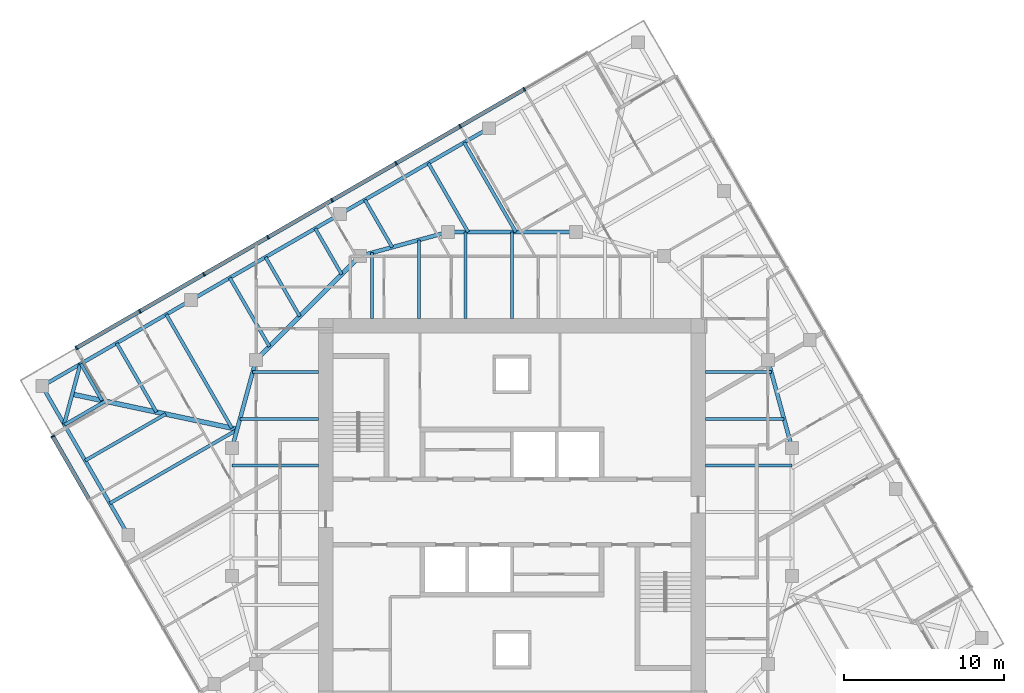
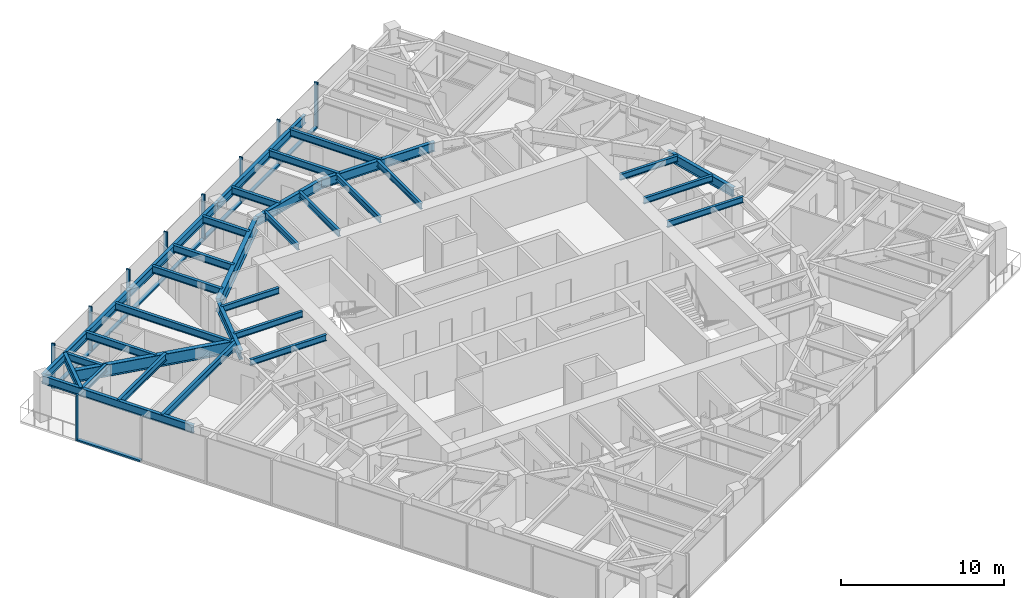
# One storey, part 4 of 12: 33 beams, 17 members, 2 elements without a shape of their own.
"""IFC4 building model written with IfcOpenShell, lengths in metres."""

from ifc_helpers import new_model, si_unit, direction, frame, origin, origin_2d, place, context, subcontext, project, spatial, rectangle, i_section, extrude, material, material_profile, profile_set, type_object, element, aggregate, save


model = new_model("IFC4")

# Units and contexts
model_context = context("Model", 3, precision=1e-05, world=origin(), true_north=direction((0.0, 1.0)))
body_context = subcontext(model_context, "Body", "Model", "MODEL_VIEW")
ifc_project = project(units=[si_unit("LENGTHUNIT", "METRE"), si_unit("AREAUNIT", "SQUARE_METRE"), si_unit("VOLUMEUNIT", "CUBIC_METRE"), si_unit("PLANEANGLEUNIT", "RADIAN"), si_unit("MASSUNIT", "GRAM", prefix="KILO")], contexts=[model_context])

# Site, building, storey
site_placement = place(None, origin())
site = spatial("IfcSite", under=ifc_project, at=site_placement, CompositionType="ELEMENT")
building_placement = place(site_placement, origin())
building = spatial("IfcBuilding", under=site, at=building_placement, Name="Torsade Residences", CompositionType="ELEMENT")
storey_placement = place(building_placement, frame((0.0, 0.0, 218.39990234375)))
storey = spatial("IfcBuildingStorey", under=building, at=storey_placement, Name="L60", CompositionType="ELEMENT", Elevation=218.39990234375)

# Beams
ifc_material_1 = material(Name="Steel grade 300", Category="steel")
ifc_material_profile_1 = material_profile(ifc_material_1, i_section(OverallWidth=0.300048828125, OverallDepth=0.89990234375, WebThickness=0.011962890625, FlangeThickness=0.02490234375, at=origin_2d()), Name="900WB175")
ifc_profile_set_1 = profile_set([ifc_material_profile_1], Name="Steel grade 300")
beam_type_1 = type_object("IfcBeamType", Name="CORNER GIRDER 900WB175", PredefinedType="BEAM", material=ifc_profile_set_1)
beam_1_placement = place(storey_placement, frame((12.5087890625, 37.3662109375, 2.800048828125), z_axis=(0.978115155685, -0.20806427425, 0.0), x_axis=(0.20806427425, 0.978115155685, 0.0)))
element("IfcBeam", 1, at=beam_1_placement, inside=storey, type_object=beam_type_1, Name="Corner girder 13 L61", PredefinedType="BEAM", context=body_context, shape_type="SweptSolid", body=[
    extrude(i_section(OverallWidth=0.300048828125, OverallDepth=0.89990234375, WebThickness=0.011962890625, FlangeThickness=0.02490234375, at=origin_2d()), origin(), (0.0, 0.0, 1.0), 10.541748046875),
])
ifc_material_2 = material(Name="Steel grade 300", Category="steel")
ifc_material_profile_2 = material_profile(ifc_material_2, i_section(OverallWidth=0.22802734375, OverallDepth=0.60205078125, WebThickness=0.010498046875, FlangeThickness=0.014892578125, FilletRadius=0.013916015625, at=origin_2d()), Name="610UB101")
ifc_profile_set_2 = profile_set([ifc_material_profile_2], Name="Steel grade 300")
beam_type_2 = type_object("IfcBeamType", Name="CORNER TRIMMER 610UB101", PredefinedType="BEAM", material=ifc_profile_set_2)
beam_2_placement = place(storey_placement, frame((12.00537109375, 35.488037109375, 2.94921875), z_axis=(0.258822897619, 0.965924794002, 0.0), x_axis=(-0.965924794002, 0.258822897619, 0.0)))
element("IfcBeam", 2, at=beam_2_placement, inside=storey, type_object=beam_type_2, Name="Corner trimmer 13 L61", PredefinedType="BEAM", context=body_context, shape_type="SweptSolid", body=[
    extrude(i_section(OverallWidth=0.22802734375, OverallDepth=0.60205078125, WebThickness=0.010498046875, FlangeThickness=0.014892578125, FilletRadius=0.013916015625, at=origin_2d()), origin(), (0.0, 0.0, 1.0), 3.88916015625),
])
ifc_material_3 = material(Name="Steel grade 300", Category="steel")
ifc_material_profile_3 = material_profile(ifc_material_3, i_section(OverallWidth=0.22900390625, OverallDepth=0.612060546875, WebThickness=0.011962890625, FlangeThickness=0.01953125, FilletRadius=0.013916015625, at=origin_2d()), Name="610UB125")
ifc_profile_set_3 = profile_set([ifc_material_profile_3], Name="Steel grade 300")
beam_type_3 = type_object("IfcBeamType", Name="EDGE BEAM 610UB125", PredefinedType="SPANDREL", material=ifc_profile_set_3)
for number, where, z_axis, x_axis, name in (
    (3, (38.559814453125, 53.99462890625, 2.944091796875), (-0.866026365697, -0.499998333915, 0.0), (0.499998333915, -0.866026365697, 0.0), "Edge beam 10 L61"),
    (4, (29.25, 48.61962890625, 2.944091796875), (-0.866026365697, -0.499998333915, 0.0), (0.499998333915, -0.866026365697, 0.0), "Edge beam 11 L61"),
    (5, (19.940185546875, 43.24462890625, 2.944091796875), (-0.866026365697, -0.499998333915, 0.0), (0.499998333915, -0.866026365697, 0.0), "Edge beam 12 L61"),
    (6, (10.63037109375, 37.86962890625, 2.944091796875), (0.499998333915, -0.866026365697, 0.0), (0.866026365697, 0.499998333915, 0.0), "Edge beam 13 L61"),
):
    element("IfcBeam", number, at=place(storey_placement, frame(where, z_axis=z_axis, x_axis=x_axis)), inside=storey, type_object=beam_type_3, Name=name, PredefinedType="SPANDREL", context=body_context, shape_type="SweptSolid", body=[
        extrude(i_section(OverallWidth=0.22900390625, OverallDepth=0.612060546875, WebThickness=0.011962890625, FlangeThickness=0.01953125, FilletRadius=0.013916015625, at=origin_2d()), origin(), (0.0, 0.0, 1.0), 10.75),
    ])

# Curtain wall, members
ifc_material_4 = material(Name="Aluminium and glass", Category="aluminium")
curtain_wall_type = type_object("IfcCurtainWallType", Name="FRITTED GLASS CURTAIN WALL HIGH ZONE", PredefinedType="NOTDEFINED", material=ifc_material_4)
curtain_wall_1_placement = place(storey_placement, origin())
curtain_wall_1 = element("IfcCurtainWall", 7, at=curtain_wall_1_placement, inside=storey, type_object=curtain_wall_type, Name="Curtain wall L60 face 7", PredefinedType="NOTDEFINED")
ifc_material_5 = material(Name="Aluminium mullion", Category="aluminium")
ifc_material_profile_4 = material_profile(ifc_material_5, rectangle(XDim=0.25, YDim=0.10009765625, at=origin_2d()), Name="HIGH ZONE CURTAIN WALL MULLION 250x100")
ifc_profile_set_4 = profile_set([ifc_material_profile_4], Name="Aluminium mullion")
member_type_1 = type_object("IfcMemberType", Name="HIGH ZONE CURTAIN WALL MULLION 250x100", PredefinedType="MULLION", material=ifc_profile_set_4)
member_1_placement = place(storey_placement, frame((40.76611328125, 56.423095703125, 0.0), z_axis=(0.0, 0.0, 1.0), x_axis=(0.499999999305, -0.866025404186, 0.0)))
member_1 = element("IfcMember", 8, at=member_1_placement, type_object=member_type_1, Name="Mullion 2", PredefinedType="MULLION", context=body_context, shape_type="SweptSolid", body=[
    extrude(rectangle(XDim=0.25, YDim=0.10009765625, at=origin_2d()), origin(), (0.0, 0.0, 1.0), 3.400146484375),
])
member_2_placement = place(storey_placement, frame((36.7607421875, 54.110595703125, 0.0), z_axis=(0.0, 0.0, 1.0), x_axis=(0.499999999305, -0.866025404186, 0.0)))
member_2 = element("IfcMember", 9, at=member_2_placement, type_object=member_type_1, Name="Mullion 3", PredefinedType="MULLION", context=body_context, shape_type="SweptSolid", body=[
    extrude(rectangle(XDim=0.25, YDim=0.10009765625, at=origin_2d()), origin(), (0.0, 0.0, 1.0), 3.400146484375),
])
member_3_placement = place(storey_placement, frame((32.75537109375, 51.798095703125, 0.0), z_axis=(0.0, 0.0, 1.0), x_axis=(0.499999999305, -0.866025404186, 0.0)))
member_3 = element("IfcMember", 10, at=member_3_placement, type_object=member_type_1, Name="Mullion 4", PredefinedType="MULLION", context=body_context, shape_type="SweptSolid", body=[
    extrude(rectangle(XDim=0.25, YDim=0.10009765625, at=origin_2d()), origin(), (0.0, 0.0, 1.0), 3.400146484375),
])
member_4_placement = place(storey_placement, frame((28.75, 49.485595703125, 0.0), z_axis=(0.0, 0.0, 1.0), x_axis=(0.499999999305, -0.866025404186, 0.0)))
member_4 = element("IfcMember", 11, at=member_4_placement, type_object=member_type_1, Name="Mullion 5", PredefinedType="MULLION", context=body_context, shape_type="SweptSolid", body=[
    extrude(rectangle(XDim=0.25, YDim=0.10009765625, at=origin_2d()), origin(), (0.0, 0.0, 1.0), 3.400146484375),
])
member_5_placement = place(storey_placement, frame((24.74462890625, 47.173095703125, 0.0), z_axis=(0.0, 0.0, 1.0), x_axis=(0.499999999305, -0.866025404186, 0.0)))
member_5 = element("IfcMember", 12, at=member_5_placement, type_object=member_type_1, Name="Mullion 6", PredefinedType="MULLION", context=body_context, shape_type="SweptSolid", body=[
    extrude(rectangle(XDim=0.25, YDim=0.10009765625, at=origin_2d()), origin(), (0.0, 0.0, 1.0), 3.400146484375),
])
member_6_placement = place(storey_placement, frame((20.7392578125, 44.860595703125, 0.0), z_axis=(0.0, 0.0, 1.0), x_axis=(0.499999999305, -0.866025404186, 0.0)))
member_6 = element("IfcMember", 13, at=member_6_placement, type_object=member_type_1, Name="Mullion 7", PredefinedType="MULLION", context=body_context, shape_type="SweptSolid", body=[
    extrude(rectangle(XDim=0.25, YDim=0.10009765625, at=origin_2d()), origin(), (0.0, 0.0, 1.0), 3.400146484375),
])
member_7_placement = place(storey_placement, frame((16.73388671875, 42.548095703125, 0.0), z_axis=(0.0, 0.0, 1.0), x_axis=(0.499999999305, -0.866025404186, 0.0)))
member_7 = element("IfcMember", 14, at=member_7_placement, type_object=member_type_1, Name="Mullion 8", PredefinedType="MULLION", context=body_context, shape_type="SweptSolid", body=[
    extrude(rectangle(XDim=0.25, YDim=0.10009765625, at=origin_2d()), origin(), (0.0, 0.0, 1.0), 3.400146484375),
])
member_8_placement = place(storey_placement, frame((12.771728515625, 40.260498046875, 0.0), z_axis=(0.0, 0.0, 1.0), x_axis=(0.499999999305, -0.866025404186, 0.0)))
member_8 = element("IfcMember", 15, at=member_8_placement, type_object=member_type_1, Name="Mullion 9", PredefinedType="MULLION", context=body_context, shape_type="SweptSolid", body=[
    extrude(rectangle(XDim=0.25, YDim=0.10009765625, at=origin_2d()), origin(), (0.0, 0.0, 1.0), 3.400146484375),
])

# Curtain wall, member
curtain_wall_2_placement = place(storey_placement, origin())
curtain_wall_2 = element("IfcCurtainWall", 16, at=curtain_wall_2_placement, inside=storey, type_object=curtain_wall_type, Name="Curtain wall L60 face 10", PredefinedType="NOTDEFINED")
member_9_placement = place(storey_placement, frame((11.289306640625, 34.728271484375, 0.0), z_axis=(0.0, 0.0, 1.0), x_axis=(0.866025404186, 0.499999999305, 0.0)))
member_9 = element("IfcMember", 17, at=member_9_placement, type_object=member_type_1, Name="Mullion 1", PredefinedType="MULLION", context=body_context, shape_type="SweptSolid", body=[
    extrude(rectangle(XDim=0.25, YDim=0.10009765625, at=origin_2d()), origin(), (0.0, 0.0, 1.0), 3.400146484375),
])

# Member
ifc_material_6 = material(Name="Aluminium transom", Category="aluminium")
ifc_material_profile_5 = material_profile(ifc_material_6, rectangle(XDim=0.25, YDim=0.1201171875, at=origin_2d()), Name="HIGH ZONE CURTAIN WALL TRANSOM 250x120")
ifc_profile_set_5 = profile_set([ifc_material_profile_5], Name="Aluminium transom")
member_type_2 = type_object("IfcMemberType", Name="HIGH ZONE CURTAIN WALL TRANSOM 250x120", PredefinedType="USERDEFINED", material=ifc_profile_set_5)
member_10_placement = place(storey_placement, frame((40.722900390625, 56.398193359375, 0.06005859375), z_axis=(-0.866016678684, -0.500015112013, 0.0), x_axis=(0.500015112013, -0.866016678684, 0.0)))
member_10 = element("IfcMember", 18, at=member_10_placement, type_object=member_type_2, Name="Transom 2.1", ObjectType="TRANSOM", PredefinedType="USERDEFINED", context=body_context, shape_type="SweptSolid", body=[
    extrude(rectangle(XDim=0.25, YDim=0.1201171875, at=origin_2d()), origin(), (0.0, 0.0, 1.0), 4.525146484375),
])

member_11_placement = place(storey_placement, frame((36.717529296875, 54.085693359375, 0.06005859375), z_axis=(-0.866016678684, -0.500015112013, 0.0), x_axis=(0.500015112013, -0.866016678684, 0.0)))
member_11 = element("IfcMember", 19, at=member_11_placement, type_object=member_type_2, Name="Transom 3.1", ObjectType="TRANSOM", PredefinedType="USERDEFINED", context=body_context, shape_type="SweptSolid", body=[
    extrude(rectangle(XDim=0.25, YDim=0.1201171875, at=origin_2d()), origin(), (0.0, 0.0, 1.0), 4.525146484375),
])

member_12_placement = place(storey_placement, frame((32.712158203125, 51.773193359375, 0.06005859375), z_axis=(-0.866016678684, -0.500015112013, 0.0), x_axis=(0.500015112013, -0.866016678684, 0.0)))
member_12 = element("IfcMember", 20, at=member_12_placement, type_object=member_type_2, Name="Transom 4.1", ObjectType="TRANSOM", PredefinedType="USERDEFINED", context=body_context, shape_type="SweptSolid", body=[
    extrude(rectangle(XDim=0.25, YDim=0.1201171875, at=origin_2d()), origin(), (0.0, 0.0, 1.0), 4.525146484375),
])

member_13_placement = place(storey_placement, frame((28.706787109375, 49.460693359375, 0.06005859375), z_axis=(-0.866016678684, -0.500015112013, 0.0), x_axis=(0.500015112013, -0.866016678684, 0.0)))
member_13 = element("IfcMember", 21, at=member_13_placement, type_object=member_type_2, Name="Transom 5.1", ObjectType="TRANSOM", PredefinedType="USERDEFINED", context=body_context, shape_type="SweptSolid", body=[
    extrude(rectangle(XDim=0.25, YDim=0.1201171875, at=origin_2d()), origin(), (0.0, 0.0, 1.0), 4.525146484375),
])

member_14_placement = place(storey_placement, frame((24.701416015625, 47.148193359375, 0.06005859375), z_axis=(-0.866016678684, -0.500015112013, 0.0), x_axis=(0.500015112013, -0.866016678684, 0.0)))
member_14 = element("IfcMember", 22, at=member_14_placement, type_object=member_type_2, Name="Transom 6.1", ObjectType="TRANSOM", PredefinedType="USERDEFINED", context=body_context, shape_type="SweptSolid", body=[
    extrude(rectangle(XDim=0.25, YDim=0.1201171875, at=origin_2d()), origin(), (0.0, 0.0, 1.0), 4.525146484375),
])

member_15_placement = place(storey_placement, frame((20.696044921875, 44.835693359375, 0.06005859375), z_axis=(-0.866016678684, -0.500015112013, 0.0), x_axis=(0.500015112013, -0.866016678684, 0.0)))
member_15 = element("IfcMember", 23, at=member_15_placement, type_object=member_type_2, Name="Transom 7.1", ObjectType="TRANSOM", PredefinedType="USERDEFINED", context=body_context, shape_type="SweptSolid", body=[
    extrude(rectangle(XDim=0.25, YDim=0.1201171875, at=origin_2d()), origin(), (0.0, 0.0, 1.0), 4.525146484375),
])

member_16_placement = place(storey_placement, frame((16.690673828125, 42.523193359375, 0.06005859375), z_axis=(-0.866022053326, -0.50000580312, 0.0), x_axis=(0.50000580312, -0.866022053326, 0.0)))
member_16 = element("IfcMember", 24, at=member_16_placement, type_object=member_type_2, Name="Transom 8.1", ObjectType="TRANSOM", PredefinedType="USERDEFINED", context=body_context, shape_type="SweptSolid", body=[
    extrude(rectangle(XDim=0.25, YDim=0.1201171875, at=origin_2d()), origin(), (0.0, 0.0, 1.0), 4.47509765625),
])

aggregate(curtain_wall_1, [member_1, member_2, member_3, member_4, member_5, member_6, member_7, member_8, member_10, member_11, member_12, member_13, member_14, member_15, member_16])

member_17_placement = place(storey_placement, frame((11.314453125, 34.684814453125, 0.06005859375), z_axis=(0.50000580312, -0.866022053326, 0.0), x_axis=(0.866022053326, 0.50000580312, 0.0)))
member_17 = element("IfcMember", 25, at=member_17_placement, type_object=member_type_2, Name="Transom 1.1", ObjectType="TRANSOM", PredefinedType="USERDEFINED", context=body_context, shape_type="SweptSolid", body=[
    extrude(rectangle(XDim=0.25, YDim=0.1201171875, at=origin_2d()), origin(), (0.0, 0.0, 1.0), 4.47509765625),
])

aggregate(curtain_wall_2, [member_9, member_17])

# Beams
ifc_material_7 = material(Name="Steel grade 300", Category="steel")
ifc_material_profile_6 = material_profile(ifc_material_7, i_section(OverallWidth=0.18994140625, OverallDepth=0.4541015625, WebThickness=0.008544921875, FlangeThickness=0.0126953125, FilletRadius=0.011474609375, at=origin_2d()), Name="460UB67.1")
ifc_profile_set_6 = profile_set([ifc_material_profile_6], Name="Steel grade 300")
beam_type_4 = type_object("IfcBeamType", Name="INNER FLOOR BEAM 460UB67.1", PredefinedType="JOIST", material=ifc_profile_set_6)
beam_3_placement = place(storey_placement, frame((31.262451171875, 42.10009765625, 3.023193359375), z_axis=(0.0, 1.0, 0.0), x_axis=(-1.0, 0.0, 0.0)))
element("IfcBeam", 26, at=beam_3_placement, inside=storey, type_object=beam_type_4, Name="Inner floor beam IN01 L61", PredefinedType="JOIST", context=body_context, shape_type="SweptSolid", body=[
    extrude(i_section(OverallWidth=0.18994140625, OverallDepth=0.4541015625, WebThickness=0.008544921875, FlangeThickness=0.0126953125, FilletRadius=0.011474609375, at=origin_2d()), origin(), (0.0, 0.0, 1.0), 4.10791015625),
])
beam_4_placement = place(storey_placement, frame((34.175048828125, 42.10009765625, 3.023193359375), z_axis=(0.0, 1.0, 0.0), x_axis=(-1.0, 0.0, 0.0)))
element("IfcBeam", 27, at=beam_4_placement, inside=storey, type_object=beam_type_4, Name="Inner floor beam IN02 L61", PredefinedType="JOIST", context=body_context, shape_type="SweptSolid", body=[
    extrude(i_section(OverallWidth=0.18994140625, OverallDepth=0.4541015625, WebThickness=0.008544921875, FlangeThickness=0.0126953125, FilletRadius=0.011474609375, at=origin_2d()), origin(), (0.0, 0.0, 1.0), 4.902099609375),
])
for number, where, z_axis, x_axis, name in (
    (28, (37.08740234375, 42.10009765625, 3.023193359375), (0.0, 1.0, 0.0), (-1.0, 0.0, 0.0), "Inner floor beam IN03 L61"),
    (29, (40.0, 42.10009765625, 3.023193359375), (0.0, 1.0, 0.0), (-1.0, 0.0, 0.0), "Inner floor beam IN04 L61"),
    (30, (52.10009765625, 32.91259765625, 3.023193359375), (1.0, 0.0, 0.0), (0.0, 1.0, 0.0), "Inner floor beam IE05 L61"),
):
    element("IfcBeam", number, at=place(storey_placement, frame(where, z_axis=z_axis, x_axis=x_axis)), inside=storey, type_object=beam_type_4, Name=name, PredefinedType="JOIST", context=body_context, shape_type="SweptSolid", body=[
        extrude(i_section(OverallWidth=0.18994140625, OverallDepth=0.4541015625, WebThickness=0.008544921875, FlangeThickness=0.0126953125, FilletRadius=0.011474609375, at=origin_2d()), origin(), (0.0, 0.0, 1.0), 5.39990234375),
    ])
beam_5_placement = place(storey_placement, frame((52.10009765625, 35.824951171875, 3.023193359375), z_axis=(1.0, 0.0, 0.0), x_axis=(0.0, 1.0, 0.0)))
element("IfcBeam", 31, at=beam_5_placement, inside=storey, type_object=beam_type_4, Name="Inner floor beam IE06 L61", PredefinedType="JOIST", context=body_context, shape_type="SweptSolid", body=[
    extrude(i_section(OverallWidth=0.18994140625, OverallDepth=0.4541015625, WebThickness=0.008544921875, FlangeThickness=0.0126953125, FilletRadius=0.011474609375, at=origin_2d()), origin(), (0.0, 0.0, 1.0), 4.902099609375),
])
for number, where, z_axis, x_axis, name in (
    (32, (52.10009765625, 38.737548828125, 3.023193359375), (1.0, 0.0, 0.0), (0.0, 1.0, 0.0), "Inner floor beam IE07 L61"),
    (33, (27.89990234375, 38.737548828125, 3.023193359375), (-1.0, 0.0, 0.0), (0.0, -1.0, 0.0), "Inner floor beam IW01 L61"),
):
    element("IfcBeam", number, at=place(storey_placement, frame(where, z_axis=z_axis, x_axis=x_axis)), inside=storey, type_object=beam_type_4, Name=name, PredefinedType="JOIST", context=body_context, shape_type="SweptSolid", body=[
        extrude(i_section(OverallWidth=0.18994140625, OverallDepth=0.4541015625, WebThickness=0.008544921875, FlangeThickness=0.0126953125, FilletRadius=0.011474609375, at=origin_2d()), origin(), (0.0, 0.0, 1.0), 4.10791015625),
    ])
beam_6_placement = place(storey_placement, frame((27.89990234375, 35.824951171875, 3.023193359375), z_axis=(-1.0, 0.0, 0.0), x_axis=(0.0, -1.0, 0.0)))
element("IfcBeam", 34, at=beam_6_placement, inside=storey, type_object=beam_type_4, Name="Inner floor beam IW02 L61", PredefinedType="JOIST", context=body_context, shape_type="SweptSolid", body=[
    extrude(i_section(OverallWidth=0.18994140625, OverallDepth=0.4541015625, WebThickness=0.008544921875, FlangeThickness=0.0126953125, FilletRadius=0.011474609375, at=origin_2d()), origin(), (0.0, 0.0, 1.0), 4.902099609375),
])
beam_7_placement = place(storey_placement, frame((27.89990234375, 32.91259765625, 3.023193359375), z_axis=(-1.0, 0.0, 0.0), x_axis=(0.0, -1.0, 0.0)))
element("IfcBeam", 35, at=beam_7_placement, inside=storey, type_object=beam_type_4, Name="Inner floor beam IW03 L61", PredefinedType="JOIST", context=body_context, shape_type="SweptSolid", body=[
    extrude(i_section(OverallWidth=0.18994140625, OverallDepth=0.4541015625, WebThickness=0.008544921875, FlangeThickness=0.0126953125, FilletRadius=0.011474609375, at=origin_2d()), origin(), (0.0, 0.0, 1.0), 5.39990234375),
])
ifc_material_8 = material(Name="Steel grade 300", Category="steel")
ifc_material_profile_7 = material_profile(ifc_material_8, i_section(OverallWidth=0.300048828125, OverallDepth=1.0, WebThickness=0.01611328125, FlangeThickness=0.028076171875, at=origin_2d()), Name="1000WB215")
ifc_profile_set_7 = profile_set([ifc_material_profile_7], Name="Steel grade 300")
beam_type_5 = type_object("IfcBeamType", Name="RING CORNER GIRDER 1000WB215", PredefinedType="BEAM", material=ifc_profile_set_7)
beam_8_placement = place(storey_placement, frame((30.5, 46.0, 2.75), z_axis=(-0.707106781187, -0.707106781187, 0.0), x_axis=(0.707106781187, -0.707106781187, 0.0)))
element("IfcBeam", 36, at=beam_8_placement, inside=storey, type_object=beam_type_5, Name="Ring girder IR07 L61", PredefinedType="BEAM", context=body_context, shape_type="SweptSolid", body=[
    extrude(i_section(OverallWidth=0.300048828125, OverallDepth=1.0, WebThickness=0.01611328125, FlangeThickness=0.028076171875, at=origin_2d()), origin(), (0.0, 0.0, 1.0), 9.1923828125),
])
ifc_material_9 = material(Name="Steel grade 300", Category="steel")
ifc_material_profile_8 = material_profile(ifc_material_9, i_section(OverallWidth=0.25, OverallDepth=0.699951171875, WebThickness=0.010009765625, FlangeThickness=0.02001953125, at=origin_2d()), Name="700WB130")
ifc_profile_set_8 = profile_set([ifc_material_profile_8], Name="Steel grade 300")
beam_type_6 = type_object("IfcBeamType", Name="RING GIRDER 700WB130", PredefinedType="BEAM", material=ifc_profile_set_8)
beam_9_placement = place(storey_placement, frame((57.5, 34.0, 2.900146484375), z_axis=(-0.263117405792, 0.964763821238, 0.0), x_axis=(-0.964763821238, -0.263117405792, 0.0)))
element("IfcBeam", 37, at=beam_9_placement, inside=storey, type_object=beam_type_6, Name="Ring girder IR02 L61", PredefinedType="BEAM", context=body_context, shape_type="SweptSolid", body=[
    extrude(i_section(OverallWidth=0.25, OverallDepth=0.699951171875, WebThickness=0.010009765625, FlangeThickness=0.02001953125, at=origin_2d()), origin(), (0.0, 0.0, 1.0), 5.700927734375),
])
beam_10_placement = place(storey_placement, frame((44.0, 47.5, 2.900146484375), z_axis=(-1.0, 0.0, 0.0), x_axis=(0.0, -1.0, 0.0)))
element("IfcBeam", 38, at=beam_10_placement, inside=storey, type_object=beam_type_6, Name="Ring girder IR05 L61", PredefinedType="BEAM", context=body_context, shape_type="SweptSolid", body=[
    extrude(i_section(OverallWidth=0.25, OverallDepth=0.699951171875, WebThickness=0.010009765625, FlangeThickness=0.02001953125, at=origin_2d()), origin(), (0.0, 0.0, 1.0), 8.0),
])
for number, where, z_axis, x_axis, name in (
    (39, (36.0, 47.5, 2.900146484375), (-0.964763821238, -0.263117405792, 0.0), (0.263117405792, -0.964763821238, 0.0), "Ring girder IR06 L61"),
    (40, (24.0, 39.5, 2.900146484375), (-0.263117405792, -0.964763821238, 0.0), (0.964763821238, -0.263117405792, 0.0), "Ring girder IR08 L61"),
):
    element("IfcBeam", number, at=place(storey_placement, frame(where, z_axis=z_axis, x_axis=x_axis)), inside=storey, type_object=beam_type_6, Name=name, PredefinedType="BEAM", context=body_context, shape_type="SweptSolid", body=[
        extrude(i_section(OverallWidth=0.25, OverallDepth=0.699951171875, WebThickness=0.010009765625, FlangeThickness=0.02001953125, at=origin_2d()), origin(), (0.0, 0.0, 1.0), 5.700927734375),
    ])
ifc_material_10 = material(Name="Steel grade 300", Category="steel")
ifc_material_profile_9 = material_profile(ifc_material_10, i_section(OverallWidth=0.208984375, OverallDepth=0.528076171875, WebThickness=0.009521484375, FlangeThickness=0.01318359375, FilletRadius=0.013916015625, at=origin_2d()), Name="530UB82.0")
ifc_profile_set_9 = profile_set([ifc_material_profile_9], Name="Steel grade 300")
beam_type_7 = type_object("IfcBeamType", Name="SECONDARY BEAM 530UB82.0", PredefinedType="JOIST", material=ifc_profile_set_9)
beam_11_placement = place(storey_placement, frame((37.008056640625, 53.0986328125, 2.986083984375), z_axis=(0.500005767435, -0.866022073929, 0.0), x_axis=(0.866022073929, 0.500005767435, 0.0)))
element("IfcBeam", 41, at=beam_11_placement, inside=storey, type_object=beam_type_7, Name="Floor beam FN04 L61", PredefinedType="JOIST", context=body_context, shape_type="SweptSolid", body=[
    extrude(i_section(OverallWidth=0.208984375, OverallDepth=0.528076171875, WebThickness=0.009521484375, FlangeThickness=0.01318359375, FilletRadius=0.013916015625, at=origin_2d()), origin(), (0.0, 0.0, 1.0), 6.46484375),
])
beam_12_placement = place(storey_placement, frame((34.77099609375, 51.80712890625, 2.986083984375), z_axis=(0.499977414361, -0.866038443216, 0.0), x_axis=(0.866038443216, 0.499977414361, 0.0)))
element("IfcBeam", 42, at=beam_12_placement, inside=storey, type_object=beam_type_7, Name="Floor beam FN05 L61", PredefinedType="JOIST", context=body_context, shape_type="SweptSolid", body=[
    extrude(i_section(OverallWidth=0.208984375, OverallDepth=0.528076171875, WebThickness=0.009521484375, FlangeThickness=0.01318359375, FilletRadius=0.013916015625, at=origin_2d()), origin(), (0.0, 0.0, 1.0), 4.973388671875),
])
beam_13_placement = place(storey_placement, frame((30.801513671875, 49.515380859375, 2.986083984375), z_axis=(0.500041249073, -0.866001587311, 0.0), x_axis=(0.866001587311, 0.500041249073, 0.0)))
element("IfcBeam", 43, at=beam_13_placement, inside=storey, type_object=beam_type_7, Name="Floor beam FN06 L61", PredefinedType="JOIST", context=body_context, shape_type="SweptSolid", body=[
    extrude(i_section(OverallWidth=0.208984375, OverallDepth=0.528076171875, WebThickness=0.009521484375, FlangeThickness=0.01318359375, FilletRadius=0.013916015625, at=origin_2d()), origin(), (0.0, 0.0, 1.0), 3.425048828125),
])
beam_14_placement = place(storey_placement, frame((27.698486328125, 47.7236328125, 2.986083984375), z_axis=(0.499975512502, -0.866039541186, 0.0), x_axis=(0.866039541186, 0.499975512502, 0.0)))
element("IfcBeam", 44, at=beam_14_placement, inside=storey, type_object=beam_type_7, Name="Floor beam FN07 L61", PredefinedType="JOIST", context=body_context, shape_type="SweptSolid", body=[
    extrude(i_section(OverallWidth=0.208984375, OverallDepth=0.528076171875, WebThickness=0.009521484375, FlangeThickness=0.01318359375, FilletRadius=0.013916015625, at=origin_2d()), origin(), (0.0, 0.0, 1.0), 3.312744140625),
])
beam_15_placement = place(storey_placement, frame((24.59521484375, 45.93212890625, 2.986083984375), z_axis=(0.500004369671, -0.866022880939, 0.0), x_axis=(0.866022880939, 0.500004369671, 0.0)))
element("IfcBeam", 45, at=beam_15_placement, inside=storey, type_object=beam_type_7, Name="Floor beam FN08 L61", PredefinedType="JOIST", context=body_context, shape_type="SweptSolid", body=[
    extrude(i_section(OverallWidth=0.208984375, OverallDepth=0.528076171875, WebThickness=0.009521484375, FlangeThickness=0.01318359375, FilletRadius=0.013916015625, at=origin_2d()), origin(), (0.0, 0.0, 1.0), 4.27294921875),
])
beam_16_placement = place(storey_placement, frame((22.35791015625, 44.640380859375, 2.986083984375), z_axis=(0.49996790502, -0.866043933037, 0.0), x_axis=(0.866043933037, 0.49996790502, 0.0)))
element("IfcBeam", 46, at=beam_16_placement, inside=storey, type_object=beam_type_7, Name="Floor beam FN09 L61", PredefinedType="JOIST", context=body_context, shape_type="SweptSolid", body=[
    extrude(i_section(OverallWidth=0.208984375, OverallDepth=0.528076171875, WebThickness=0.009521484375, FlangeThickness=0.01318359375, FilletRadius=0.013916015625, at=origin_2d()), origin(), (0.0, 0.0, 1.0), 4.965087890625),
])
beam_17_placement = place(storey_placement, frame((18.388671875, 42.3486328125, 2.986083984375), z_axis=(0.499992034702, -0.866030002502, 0.0), x_axis=(0.866030002502, 0.499992034702, 0.0)))
element("IfcBeam", 47, at=beam_17_placement, inside=storey, type_object=beam_type_7, Name="Floor beam FN10 L61", PredefinedType="JOIST", context=body_context, shape_type="SweptSolid", body=[
    extrude(i_section(OverallWidth=0.208984375, OverallDepth=0.528076171875, WebThickness=0.009521484375, FlangeThickness=0.01318359375, FilletRadius=0.013916015625, at=origin_2d()), origin(), (0.0, 0.0, 1.0), 8.205322265625),
])
beam_18_placement = place(storey_placement, frame((15.285400390625, 40.55712890625, 2.986083984375), z_axis=(0.499968694491, -0.866043477274, 0.0), x_axis=(0.866043477274, 0.499968694491, 0.0)))
element("IfcBeam", 48, at=beam_18_placement, inside=storey, type_object=beam_type_7, Name="Floor beam FN11 L61", PredefinedType="JOIST", context=body_context, shape_type="SweptSolid", body=[
    extrude(i_section(OverallWidth=0.208984375, OverallDepth=0.528076171875, WebThickness=0.009521484375, FlangeThickness=0.01318359375, FilletRadius=0.013916015625, at=origin_2d()), origin(), (0.0, 0.0, 1.0), 4.977783203125),
])
beam_19_placement = place(storey_placement, frame((13.048095703125, 39.265380859375, 2.986083984375), z_axis=(0.499972238474, -0.866041431316, 0.0), x_axis=(0.866041431316, 0.499972238474, 0.0)))
element("IfcBeam", 49, at=beam_19_placement, inside=storey, type_object=beam_type_7, Name="Floor beam FN12 L61", PredefinedType="JOIST", context=body_context, shape_type="SweptSolid", body=[
    extrude(i_section(OverallWidth=0.208984375, OverallDepth=0.528076171875, WebThickness=0.009521484375, FlangeThickness=0.01318359375, FilletRadius=0.013916015625, at=origin_2d()), origin(), (0.0, 0.0, 1.0), 2.651123046875),
])
beam_20_placement = place(storey_placement, frame((12.0263671875, 35.451904296875, 2.986083984375), z_axis=(0.866017313224, 0.500014013, 0.0), x_axis=(-0.500014013, 0.866017313224, 0.0)))
element("IfcBeam", 50, at=beam_20_placement, inside=storey, type_object=beam_type_7, Name="Floor beam FW01 L61", PredefinedType="JOIST", context=body_context, shape_type="SweptSolid", body=[
    extrude(i_section(OverallWidth=0.208984375, OverallDepth=0.528076171875, WebThickness=0.009521484375, FlangeThickness=0.01318359375, FilletRadius=0.013916015625, at=origin_2d()), origin(), (0.0, 0.0, 1.0), 2.94775390625),
])
beam_21_placement = place(storey_placement, frame((13.31787109375, 33.214599609375, 2.986083984375), z_axis=(0.866031100357, 0.499990133118, 0.0), x_axis=(-0.499990133118, 0.866031100357, 0.0)))
element("IfcBeam", 51, at=beam_21_placement, inside=storey, type_object=beam_type_7, Name="Floor beam FW02 L61", PredefinedType="JOIST", context=body_context, shape_type="SweptSolid", body=[
    extrude(i_section(OverallWidth=0.208984375, OverallDepth=0.528076171875, WebThickness=0.009521484375, FlangeThickness=0.01318359375, FilletRadius=0.013916015625, at=origin_2d()), origin(), (0.0, 0.0, 1.0), 5.81591796875),
])
beam_22_placement = place(storey_placement, frame((14.859619140625, 30.54443359375, 2.986083984375), z_axis=(0.866021712342, 0.500006393711, 0.0), x_axis=(-0.500006393711, 0.866021712342, 0.0)))
element("IfcBeam", 52, at=beam_22_placement, inside=storey, type_object=beam_type_7, Name="Floor beam FW03 L61", PredefinedType="JOIST", context=body_context, shape_type="SweptSolid", body=[
    extrude(i_section(OverallWidth=0.208984375, OverallDepth=0.528076171875, WebThickness=0.009521484375, FlangeThickness=0.01318359375, FilletRadius=0.013916015625, at=origin_2d()), origin(), (0.0, 0.0, 1.0), 9.1796875),
])

save(model, "model.ifc")
